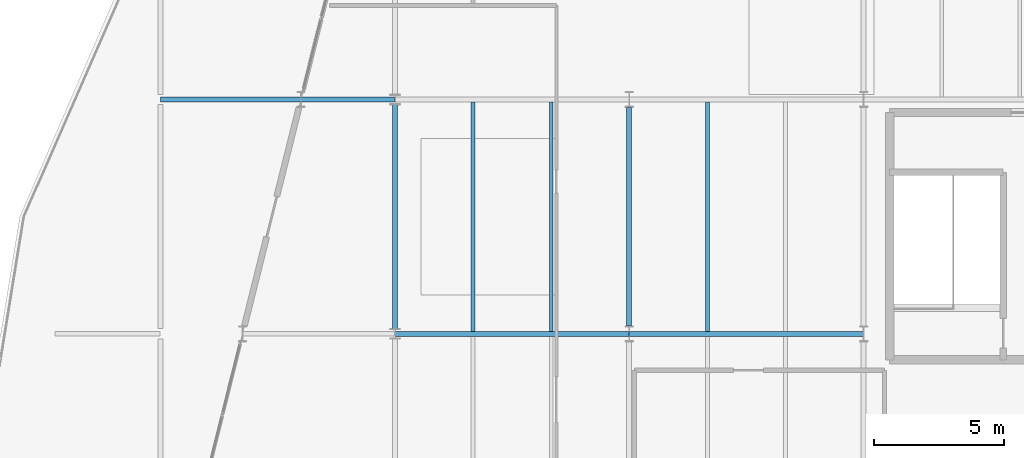
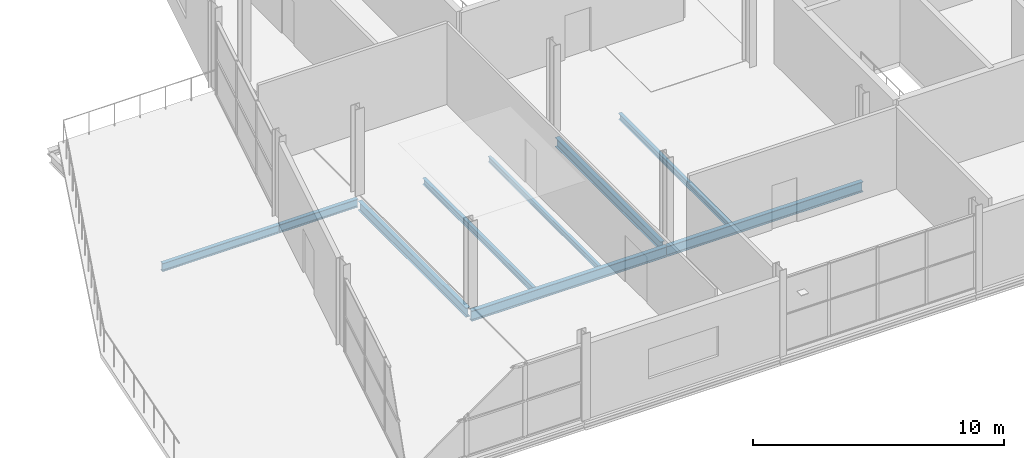
# One storey, part 14 of 44: 9 beams.
"""IFC4 building model written with IfcOpenShell, lengths in metres."""

from ifc_helpers import new_model, si_unit, direction, frame, origin, origin_2d, place, context, subcontext, project, spatial, i_section, extrude, material, material_profile, profile_set, type_object, element, save


model = new_model("IFC4")

# Units and contexts
model_context = context("Model", 3, precision=1e-05, world=origin(), true_north=direction((0.0, 1.0)))
body_context = subcontext(model_context, "Body", "Model", "MODEL_VIEW")
ifc_project = project(units=[si_unit("LENGTHUNIT", "METRE"), si_unit("AREAUNIT", "SQUARE_METRE"), si_unit("VOLUMEUNIT", "CUBIC_METRE"), si_unit("PLANEANGLEUNIT", "RADIAN"), si_unit("MASSUNIT", "GRAM", prefix="KILO")], contexts=[model_context])

# Site, building, storey
site_placement = place(None, origin())
site = spatial("IfcSite", under=ifc_project, at=site_placement, CompositionType="ELEMENT")
building_placement = place(site_placement, origin())
building = spatial("IfcBuilding", under=site, at=building_placement, Name="Deido Ridge Mobility Hub", CompositionType="ELEMENT")
storey_placement = place(building_placement, frame((0.0, 0.0, 25.199951171875)))
storey = spatial("IfcBuildingStorey", under=building, at=storey_placement, Name="L06", CompositionType="ELEMENT", Elevation=25.199951171875)

# Beams
ifc_material = material(Name="Steel S355J2 EN 10025-2", Category="steel")
ifc_material_profile_1 = material_profile(ifc_material, i_section(OverallWidth=0.179931640625, OverallDepth=0.39990234375, WebThickness=0.008544921875, FlangeThickness=0.013427734375, FilletRadius=0.02099609375, at=origin_2d()), Name="IPE 400")
ifc_profile_set_1 = profile_set([ifc_material_profile_1], Name="Steel S355J2 EN 10025-2")
beam_type_1 = type_object("IfcBeamType", Name="BM-IPE400", PredefinedType="BEAM", material=ifc_profile_set_1)
beam_1_placement = place(storey_placement, frame((135.0068359375, 18.0, -0.43994140625), z_axis=(1.0, 0.0, 0.0), x_axis=(0.0, 1.0, 0.0)))
element("IfcBeam", 1, at=beam_1_placement, inside=storey, type_object=beam_type_1, Name="Floor beam B5", PredefinedType="BEAM", context=body_context, shape_type="SweptSolid", body=[
    extrude(i_section(OverallWidth=0.179931640625, OverallDepth=0.39990234375, WebThickness=0.008544921875, FlangeThickness=0.013427734375, FilletRadius=0.02099609375, at=origin_2d()), origin(), (0.0, 0.0, 1.0), 5.385498046875),
])
beam_2_placement = place(storey_placement, frame((140.40771484375, 18.0, -0.43994140625), z_axis=(1.0, 0.0, 0.0), x_axis=(0.0, 1.0, 0.0)))
element("IfcBeam", 2, at=beam_2_placement, inside=storey, type_object=beam_type_1, Name="Floor beam B5", PredefinedType="BEAM", context=body_context, shape_type="SweptSolid", body=[
    extrude(i_section(OverallWidth=0.179931640625, OverallDepth=0.39990234375, WebThickness=0.008544921875, FlangeThickness=0.013427734375, FilletRadius=0.02099609375, at=origin_2d()), origin(), (0.0, 0.0, 1.0), 3.58349609375),
])
ifc_material_profile_2 = material_profile(ifc_material, i_section(OverallWidth=0.18994140625, OverallDepth=0.449951171875, WebThickness=0.009521484375, FlangeThickness=0.0146484375, FilletRadius=0.02099609375, at=origin_2d()), Name="IPE 450")
ifc_profile_set_2 = profile_set([ifc_material_profile_2], Name="Steel S355J2 EN 10025-2")
beam_type_2 = type_object("IfcBeamType", Name="BM-IPE450", PredefinedType="BEAM", material=ifc_profile_set_2)
beam_3_placement = place(storey_placement, frame((144.0, 9.196533203125, -0.46484375), z_axis=(0.0, 1.0, 0.0), x_axis=(-1.0, 0.0, 0.0)))
element("IfcBeam", 3, at=beam_3_placement, inside=storey, type_object=beam_type_2, Name="Floor beam B4", PredefinedType="BEAM", context=body_context, shape_type="SweptSolid", body=[
    extrude(i_section(OverallWidth=0.18994140625, OverallDepth=0.449951171875, WebThickness=0.009521484375, FlangeThickness=0.0146484375, FilletRadius=0.02099609375, at=origin_2d()), origin(), (0.0, 0.0, 1.0), 8.60693359375),
])
beam_4_placement = place(storey_placement, frame((153.0, 9.300048828125, -0.46484375), z_axis=(0.0, 1.0, 0.0), x_axis=(-1.0, 0.0, 0.0)))
element("IfcBeam", 4, at=beam_4_placement, inside=storey, type_object=beam_type_2, Name="Floor beam B4", PredefinedType="BEAM", context=body_context, shape_type="SweptSolid", body=[
    extrude(i_section(OverallWidth=0.18994140625, OverallDepth=0.449951171875, WebThickness=0.009521484375, FlangeThickness=0.0146484375, FilletRadius=0.02099609375, at=origin_2d()), origin(), (0.0, 0.0, 1.0), 8.39990234375),
])
ifc_material_profile_3 = material_profile(ifc_material, i_section(OverallWidth=0.199951171875, OverallDepth=0.5, WebThickness=0.01025390625, FlangeThickness=0.01611328125, FilletRadius=0.02099609375, at=origin_2d()), Name="IPE 500")
ifc_profile_set_3 = profile_set([ifc_material_profile_3], Name="Steel S355J2 EN 10025-2")
beam_type_3 = type_object("IfcBeamType", Name="BM-IPE500", PredefinedType="BEAM", material=ifc_profile_set_3)
beam_5_placement = place(storey_placement, frame((144.0087890625, 9.0, -0.489990234375), z_axis=(1.0, 0.0, 0.0), x_axis=(0.0, 1.0, 0.0)))
element("IfcBeam", 5, at=beam_5_placement, inside=storey, type_object=beam_type_3, Name="Floor beam B3", PredefinedType="BEAM", context=body_context, shape_type="SweptSolid", body=[
    extrude(i_section(OverallWidth=0.199951171875, OverallDepth=0.5, WebThickness=0.01025390625, FlangeThickness=0.01611328125, FilletRadius=0.02099609375, at=origin_2d()), origin(), (0.0, 0.0, 1.0), 8.9833984375),
])
beam_6_placement = place(storey_placement, frame((153.0078125, 9.0, -0.489990234375), z_axis=(1.0, 0.0, 0.0), x_axis=(0.0, 1.0, 0.0)))
element("IfcBeam", 6, at=beam_6_placement, inside=storey, type_object=beam_type_3, Name="Floor beam B3", PredefinedType="BEAM", context=body_context, shape_type="SweptSolid", body=[
    extrude(i_section(OverallWidth=0.199951171875, OverallDepth=0.5, WebThickness=0.01025390625, FlangeThickness=0.01611328125, FilletRadius=0.02099609375, at=origin_2d()), origin(), (0.0, 0.0, 1.0), 8.984375),
])
ifc_material_profile_4 = material_profile(ifc_material, i_section(OverallWidth=0.135009765625, OverallDepth=0.27001953125, WebThickness=0.006591796875, FlangeThickness=0.01025390625, FilletRadius=0.014892578125, at=origin_2d()), Name="IPE 270")
ifc_profile_set_4 = profile_set([ifc_material_profile_4], Name="Steel S355J2 EN 10025-2")
beam_type_4 = type_object("IfcBeamType", Name="JST-IPE270", PredefinedType="JOIST", material=ifc_profile_set_4)
beam_7_placement = place(storey_placement, frame((150.0, 9.10009765625, -0.375), z_axis=(0.0, 1.0, 0.0), x_axis=(-1.0, 0.0, 0.0)))
element("IfcBeam", 7, at=beam_7_placement, inside=storey, type_object=beam_type_4, Name="Composite joist J4", PredefinedType="JOIST", context=body_context, shape_type="SweptSolid", body=[
    extrude(i_section(OverallWidth=0.135009765625, OverallDepth=0.27001953125, WebThickness=0.006591796875, FlangeThickness=0.01025390625, FilletRadius=0.014892578125, at=origin_2d()), origin(), (0.0, 0.0, 1.0), 8.7998046875),
])
ifc_material_profile_5 = material_profile(ifc_material, i_section(OverallWidth=0.14990234375, OverallDepth=0.300048828125, WebThickness=0.007080078125, FlangeThickness=0.0107421875, FilletRadius=0.014892578125, at=origin_2d()), Name="IPE 300")
ifc_profile_set_5 = profile_set([ifc_material_profile_5], Name="Steel S355J2 EN 10025-2")
beam_type_5 = type_object("IfcBeamType", Name="JST-IPE300", PredefinedType="JOIST", material=ifc_profile_set_5)
for number, where, z_axis, x_axis, name in (
    (8, (147.0, 9.10009765625, -0.389892578125), (0.0, 1.0, 0.0), (-1.0, 0.0, 0.0), "Composite joist J3"),
    (9, (156.0, 9.10009765625, -0.389892578125), (0.0, 1.0, 0.0), (-1.0, 0.0, 0.0), "Composite joist J3"),
):
    element("IfcBeam", number, at=place(storey_placement, frame(where, z_axis=z_axis, x_axis=x_axis)), inside=storey, type_object=beam_type_5, Name=name, PredefinedType="JOIST", context=body_context, shape_type="SweptSolid", body=[
        extrude(i_section(OverallWidth=0.14990234375, OverallDepth=0.300048828125, WebThickness=0.007080078125, FlangeThickness=0.0107421875, FilletRadius=0.014892578125, at=origin_2d()), origin(), (0.0, 0.0, 1.0), 8.7998046875),
    ])

save(model, "model.ifc")
